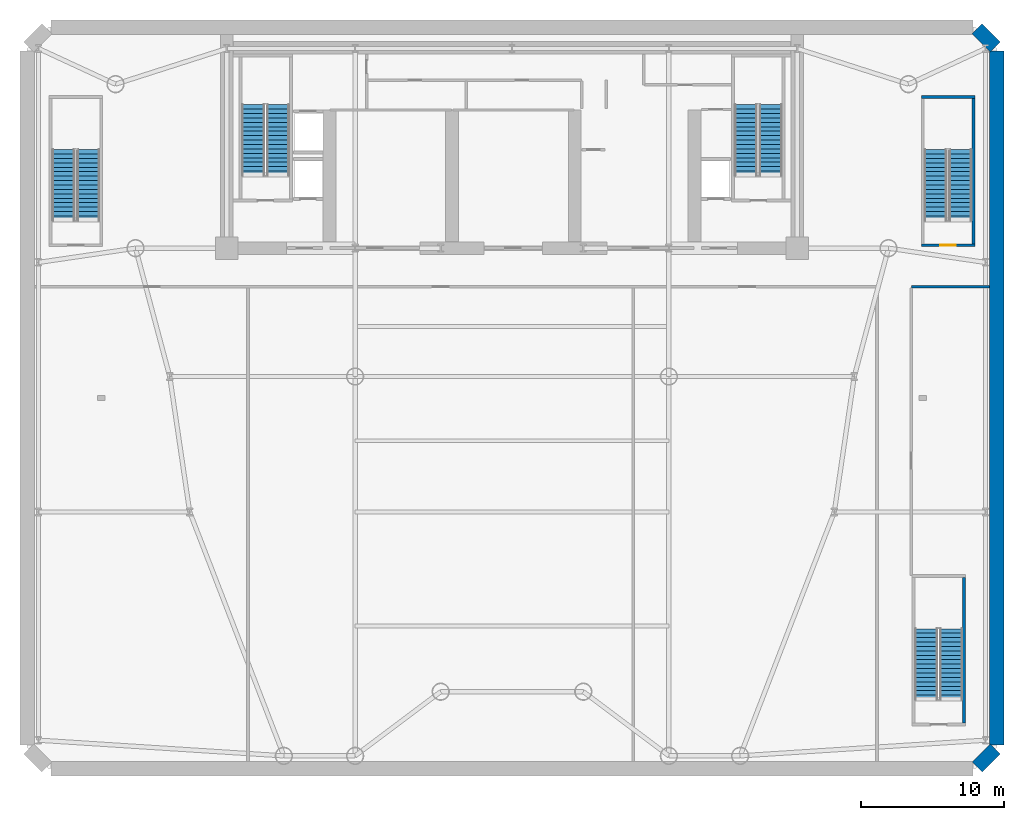
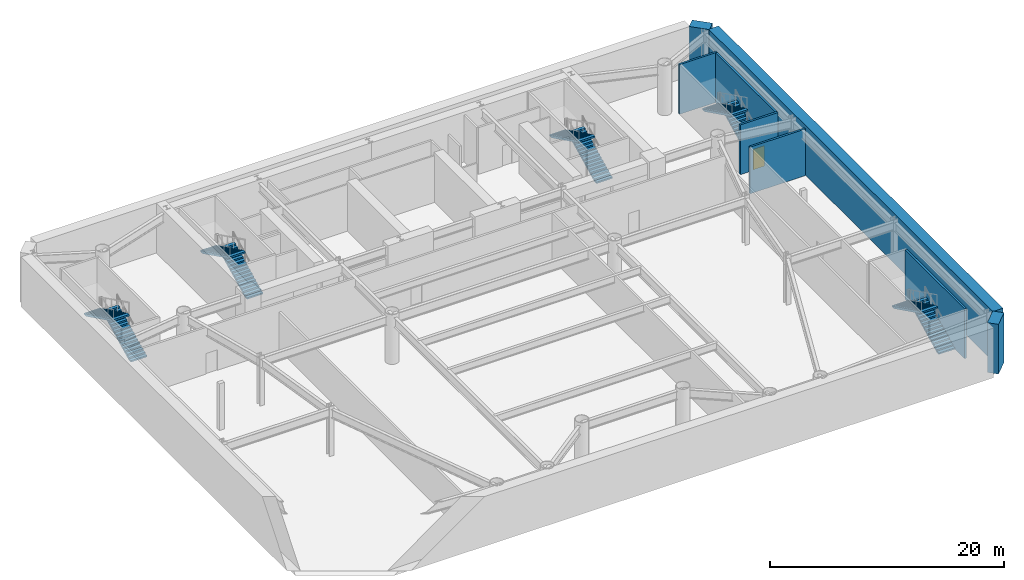
# One storey, part 4 of 9: 10 stair flights, 8 walls, 1 door, 1 opening, 5 elements without a shape of their own.
"""IFC4 building model written with IfcOpenShell, lengths in metres."""

import ifcopenshell
import ifcopenshell.guid

model = None  # the IFC model being written
_history = None  # IfcOwnerHistory: only IFC2X3 demands one
_inside = {}  # id of a spatial element -> (the spatial element, [elements in it])
_under = {}  # id of a project, library or spatial element -> (it, [spatial elements below it])
_declared = {}  # id of a project -> (the project, [libraries it declares])
_typed = {}  # id of a type object -> (the type object, [elements of that type])
_made_of = {}  # id of a material, layer set ... -> (it, [elements and type objects made of it])


def new_model(schema):
    """Start an empty IFC model of exactly this schema.

    Asked for "IFC4X3", IfcOpenShell would pick the latest addendum, in which some entities
    have other attributes; the version numbers below select the first issue.
    IFC2X3 requires an IfcOwnerHistory on every rooted entity: one is made here for all.
    """
    global model, _history
    if schema == "IFC4X3":
        model = ifcopenshell.file(schema_version=(4, 3, 0, 0))
    else:
        model = ifcopenshell.file(schema=schema)
    _inside.clear()
    _under.clear()
    _declared.clear()
    _typed.clear()
    _made_of.clear()
    _history = None
    if model.schema == "IFC2X3":
        org = make("IfcOrganization", Name="unknown")
        user = make(
            "IfcPersonAndOrganization",
            ThePerson=make("IfcPerson", FamilyName="unknown"),
            TheOrganization=org,
        )
        app = make(
            "IfcApplication",
            ApplicationDeveloper=org,
            Version="unknown",
            ApplicationFullName="unknown",
            ApplicationIdentifier="unknown",
        )
        _history = make(
            "IfcOwnerHistory",
            OwningUser=user,
            OwningApplication=app,
            ChangeAction="ADDED",
            CreationDate=0,
        )
    return model


def make(cls, **values):
    """One entity of the class cls with the attributes given. An attribute that is None is left unset."""
    return model.create_entity(
        cls, **{name: value for name, value in values.items() if value is not None}
    )


def rooted(cls, **values):
    """An entity with a GlobalId (a new one), such as an element, a storey or a relation."""
    return make(cls, GlobalId=ifcopenshell.guid.new(), OwnerHistory=_history, **values)


def si_unit(unit_type, name, prefix=None):
    """IfcSIUnit, for example si_unit("LENGTHUNIT", "METRE", prefix="MILLI")."""
    return make("IfcSIUnit", UnitType=unit_type, Prefix=prefix, Name=name)


def assignment(units):
    """IfcUnitAssignment: the units of a project."""
    return None if units is None else make("IfcUnitAssignment", Units=units)


def point(xyz):
    """IfcCartesianPoint."""
    return None if xyz is None else make("IfcCartesianPoint", Coordinates=xyz)


def direction(xyz):
    """IfcDirection."""
    return None if xyz is None else make("IfcDirection", DirectionRatios=xyz)


def frame(location, z_axis=None, x_axis=None):
    """IfcAxis2Placement3D, a coordinate frame: its origin and axes. An axis left out is left unset."""
    return make(
        "IfcAxis2Placement3D",
        Location=point(location),
        Axis=direction(z_axis),
        RefDirection=direction(x_axis),
    )


def frame_2d(location, x_axis=None):
    """IfcAxis2Placement2D, a coordinate frame in the plane: its origin and x axis."""
    return make(
        "IfcAxis2Placement2D", Location=point(location), RefDirection=direction(x_axis)
    )


def origin():
    """The frame at (0, 0, 0) with its axes left unset."""
    return frame((0.0, 0.0, 0.0))


def place(relative_to, where):
    """IfcLocalPlacement: puts the frame where relative to a parent placement (None: the world)."""
    return make(
        "IfcLocalPlacement", PlacementRelTo=relative_to, RelativePlacement=where
    )


def context(
    kind, dimensions, precision=None, world=None, true_north=None, identifier=None
):
    """IfcGeometricRepresentationContext, for example the 3D "Model" context."""
    return make(
        "IfcGeometricRepresentationContext",
        ContextIdentifier=identifier,
        ContextType=kind,
        CoordinateSpaceDimension=dimensions,
        Precision=precision,
        WorldCoordinateSystem=world,
        TrueNorth=true_north,
    )


def subcontext(parent, identifier, kind, view, scale=None):
    """IfcGeometricRepresentationSubContext, for example "Body" below "Model"."""
    return make(
        "IfcGeometricRepresentationSubContext",
        ContextIdentifier=identifier,
        ContextType=kind,
        ParentContext=parent,
        TargetScale=scale,
        TargetView=view,
    )


def project(units=None, contexts=None):
    """IfcProject with its units and contexts."""
    return rooted(
        "IfcProject",
        Name="project",
        RepresentationContexts=contexts,
        UnitsInContext=assignment(units),
    )


def spatial(cls, under=None, at=None, **own):
    """A site, building, storey or space (cls), placed at a placement, below another one or the project."""
    s = rooted(cls, ObjectPlacement=at, **own)
    if under is not None:
        _under.setdefault(under.id(), (under, []))[1].append(s)
    return s


def polyline(points):
    """IfcPolyline through the points."""
    return make("IfcPolyline", Points=[point(p) for p in points])


def profile(cls, at=None, kind="AREA", **sizes):
    """A parametric profile (cls). Its sizes go by their IFC names, for example OverallWidth=200.0."""
    return make(cls, ProfileType=kind, Position=at, **sizes)


def rectangle(**sizes):
    """IfcRectangleProfileDef."""
    return profile("IfcRectangleProfileDef", **sizes)


def outline(outer, holes=None, kind="AREA"):
    """IfcArbitraryClosedProfileDef: a profile drawn as a closed curve; with holes, ...WithVoids."""
    if holes is None:
        return make("IfcArbitraryClosedProfileDef", ProfileType=kind, OuterCurve=outer)
    return make(
        "IfcArbitraryProfileDefWithVoids",
        ProfileType=kind,
        OuterCurve=outer,
        InnerCurves=holes,
    )


def extrude(swept, where, along, depth):
    """IfcExtrudedAreaSolid: the profile swept, set in the frame where, extruded along a direction by depth."""
    return make(
        "IfcExtrudedAreaSolid",
        SweptArea=swept,
        Position=where,
        ExtrudedDirection=direction(along),
        Depth=depth,
    )


def shape(context_of_items, identifier, shape_type, items):
    """IfcShapeRepresentation: the items that make up one representation, for example the "Body"."""
    return make(
        "IfcShapeRepresentation",
        ContextOfItems=context_of_items,
        RepresentationIdentifier=identifier,
        RepresentationType=shape_type,
        Items=items,
    )


def source(mapping_origin, context_of_items, identifier, shape_type, items):
    """IfcRepresentationMap: a shape defined once, which mapped items show again and again."""
    return make(
        "IfcRepresentationMap",
        MappingOrigin=mapping_origin,
        MappedRepresentation=shape(context_of_items, identifier, shape_type, items),
    )


def transform(
    local_origin,
    x_axis=None,
    y_axis=None,
    z_axis=None,
    scale=None,
    scale2=None,
    scale3=None,
    uniform=True,
):
    """IfcCartesianTransformationOperator3D, or its non-uniform kind. x_axis, y_axis, z_axis: its Axis1, 2, 3."""
    if uniform:
        return make(
            "IfcCartesianTransformationOperator3D",
            Axis1=direction(x_axis),
            Axis2=direction(y_axis),
            LocalOrigin=point(local_origin),
            Scale=scale,
            Axis3=direction(z_axis),
        )
    return make(
        "IfcCartesianTransformationOperator3DnonUniform",
        Axis1=direction(x_axis),
        Axis2=direction(y_axis),
        LocalOrigin=point(local_origin),
        Scale=scale,
        Axis3=direction(z_axis),
        Scale2=scale2,
        Scale3=scale3,
    )


def mapped(mapping_source, mapping_target):
    """IfcMappedItem: shows the shape of a source again, moved by a transform."""
    return make(
        "IfcMappedItem", MappingSource=mapping_source, MappingTarget=mapping_target
    )


def material(Name=None, Category=None):
    """IfcMaterial."""
    return make("IfcMaterial", Name=Name, Category=Category)


def layer(
    of_material, thickness, ventilated=None, Name=None, Category=None, Priority=None
):
    """IfcMaterialLayer: one layer of a wall or slab, of a material (None: an air gap)."""
    return make(
        "IfcMaterialLayer",
        Material=of_material,
        LayerThickness=thickness,
        IsVentilated=ventilated,
        Name=Name,
        Category=Category,
        Priority=Priority,
    )


def layer_set(layers, Name=None):
    """IfcMaterialLayerSet."""
    return make("IfcMaterialLayerSet", MaterialLayers=layers, LayerSetName=Name)


def made_of(thing, what):
    """Note that an element or type object is made of a material, layer set ...; save() writes the relation."""
    if what is not None:
        _made_of.setdefault(what.id(), (what, []))[1].append(thing)
    return thing


def type_object(cls, material=None, **own):
    """A type object (cls), such as IfcWallType, which elements share."""
    return made_of(rooted(cls, **own), material)


def element(
    cls,
    number,
    at=None,
    inside=None,
    cuts=None,
    type_object=None,
    material=None,
    context=None,
    identifier="Body",
    shape_type=None,
    held_by="IfcProductDefinitionShape",
    body=None,
    shapes=None,
    **own,
):
    """One element of the class cls, such as IfcWall. Its Tag is "e" and its number.

    at: its placement. inside: the storey or other place that contains it. cuts: it is an
    opening in that element (IfcRelVoidsElement). A single representation is given by context,
    identifier, shape_type and body (its items); several are given by shapes. held_by: the class
    of the entity that holds the representations. save() writes the other relations.
    """
    e = rooted(cls, Tag="e%d" % number, ObjectPlacement=at, **own)
    if body is not None:
        shapes = [shape(context, identifier, shape_type, body)]
    if shapes is not None:
        e.Representation = make(held_by, Representations=shapes)
    if inside is not None:
        _inside.setdefault(inside.id(), (inside, []))[1].append(e)
    if cuts is not None:
        rooted(
            "IfcRelVoidsElement", RelatingBuildingElement=cuts, RelatedOpeningElement=e
        )
    if type_object is not None:
        _typed.setdefault(type_object.id(), (type_object, []))[1].append(e)
    return made_of(e, material)


def fill(opening, filler):
    """IfcRelFillsElement: the door or window that sits in an opening."""
    return rooted(
        "IfcRelFillsElement",
        RelatingOpeningElement=opening,
        RelatedBuildingElement=filler,
    )


def aggregate(whole, parts):
    """IfcRelAggregates: a whole, such as a stair, and the parts it consists of."""
    return rooted("IfcRelAggregates", RelatingObject=whole, RelatedObjects=parts)


def save(model, path):
    """Write the relations noted so far, then the file.

    IfcRelAggregates (storeys below a building ...), IfcRelContainedInSpatialStructure (elements
    in a storey), IfcRelDefinesByType, IfcRelAssociatesMaterial and IfcRelDeclares: one each for
    every whole, place, type object, material and project.
    """
    for whole, parts in _under.values():
        aggregate(whole, parts)
    for where, things in _inside.values():
        rooted(
            "IfcRelContainedInSpatialStructure",
            RelatedElements=things,
            RelatingStructure=where,
        )
    for kind, things in _typed.values():
        rooted("IfcRelDefinesByType", RelatedObjects=things, RelatingType=kind)
    for what, things in _made_of.values():
        rooted("IfcRelAssociatesMaterial", RelatedObjects=things, RelatingMaterial=what)
    for by, libraries in _declared.values():
        rooted("IfcRelDeclares", RelatingContext=by, RelatedDefinitions=libraries)
    model.write(path)


model = new_model("IFC4")

# Units and contexts
model_context = context("Model", 3, precision=1e-05, world=origin(), true_north=direction((0.0, 1.0)))
body_context = subcontext(model_context, "Body", "Model", "MODEL_VIEW")
ifc_project = project(units=[si_unit("LENGTHUNIT", "METRE"), si_unit("AREAUNIT", "SQUARE_METRE"), si_unit("VOLUMEUNIT", "CUBIC_METRE"), si_unit("PLANEANGLEUNIT", "RADIAN"), si_unit("MASSUNIT", "GRAM", prefix="KILO")], contexts=[model_context])

# Site, building, storey
site_placement = place(None, origin())
site = spatial("IfcSite", under=ifc_project, at=site_placement, CompositionType="ELEMENT")
building_placement = place(site_placement, origin())
building = spatial("IfcBuilding", under=site, at=building_placement, Name="Vaeldorn Concourse Tower", CompositionType="ELEMENT")
storey_placement = place(building_placement, frame((0.0, 0.0, -5.199951171875)))
storey = spatial("IfcBuildingStorey", under=building, at=storey_placement, Name="B01", CompositionType="ELEMENT", Elevation=-5.199951171875)

# Walls
ifc_material_1 = material(Name="Concrete C50/60", Category="concrete")
ifc_layer_1 = layer(ifc_material_1, 1.0)
ifc_layer_set_1 = layer_set([ifc_layer_1], Name="Concrete C50/60")
wall_type_1 = type_object("IfcWallType", Name="WL-DIAPH-1000", PredefinedType="STANDARD", material=ifc_layer_set_1)
wall_1_placement = place(storey_placement, frame((66.613037109375, 0.113037109375, 0.0), z_axis=(0.0, 0.0, 1.0), x_axis=(0.707106781187, 0.707106781187, 0.0)))
element("IfcWall", 1, at=wall_1_placement, inside=storey, type_object=wall_type_1, Name="Substructure Diaphragm Wall B01-02", PredefinedType="STANDARD", context=body_context, shape_type="SweptSolid", body=[
    extrude(rectangle(XDim=1.801513671875, YDim=1.0, at=frame_2d((0.90087890625, 0.0))), origin(), (0.0, 0.0, 1.0), 5.199951171875),
])
wall_2_placement = place(storey_placement, frame((68.0, 1.659912109375, 0.0), z_axis=(0.0, 0.0, 1.0), x_axis=(0.0, 1.0, 0.0)))
element("IfcWall", 2, at=wall_2_placement, inside=storey, type_object=wall_type_1, Name="Substructure Diaphragm Wall B01-03", PredefinedType="STANDARD", context=body_context, shape_type="SweptSolid", body=[
    extrude(rectangle(XDim=48.68017578125, YDim=1.0, at=frame_2d((24.340087890625, 0.0))), origin(), (0.0, 0.0, 1.0), 5.199951171875),
])
wall_3_placement = place(storey_placement, frame((67.886962890625, 50.613037109375, 0.0), z_axis=(0.0, 0.0, 1.0), x_axis=(-0.707106781187, 0.707106781187, 0.0)))
element("IfcWall", 3, at=wall_3_placement, inside=storey, type_object=wall_type_1, Name="Substructure Diaphragm Wall B01-04", PredefinedType="STANDARD", context=body_context, shape_type="SweptSolid", body=[
    extrude(rectangle(XDim=1.801513671875, YDim=1.0, at=frame_2d((0.90087890625, 0.0))), origin(), (0.0, 0.0, 1.0), 5.199951171875),
])

# Wall, opening, door
ifc_layer_2 = layer(ifc_material_1, 0.199951171875)
ifc_layer_set_2 = layer_set([ifc_layer_2], Name="Concrete C50/60")
wall_type_2 = type_object("IfcWallType", Name="WL-SHAFT-200", PredefinedType="SOLIDWALL", material=ifc_layer_set_2)
wall_4_placement = place(storey_placement, frame((62.699951171875, 36.699951171875, 0.0), z_axis=(0.0, 0.0, 1.0), x_axis=(1.0, 0.0, 0.0)))
wall_4 = element("IfcWall", 4, at=wall_4_placement, inside=storey, type_object=wall_type_2, Name="Stair Shaft Wall CW-B01-ST-4-S", PredefinedType="SOLIDWALL", context=body_context, shape_type="SweptSolid", body=[
    extrude(rectangle(XDim=3.75, YDim=0.199951171875, at=frame_2d((1.875, 0.0))), origin(), (0.0, 0.0, 1.0), 5.199951171875),
])
opening_placement = place(wall_4_placement, frame((1.324951171875, 0.0, 0.0)))
opening = element("IfcOpeningElement", 5, at=opening_placement, cuts=wall_4, Name="Opening D-01", PredefinedType="OPENING", context=body_context, shape_type="SweptSolid", body=[
    extrude(rectangle(XDim=1.10009765625, YDim=2.14990234375, at=frame_2d((0.550048828125, 1.074951171875))), frame((0.0, 0.10986328125, 0.0), z_axis=(0.0, -1.0, 0.0), x_axis=(1.0, 0.0, 0.0)), (0.0, 0.0, 1.0), 0.219970703125),
])
ifc_material_2 = material(Name="Fire-Rated Timber and Steel Leaf", Category="steel")
door_type = type_object("IfcDoorType", Name="DR-FD60-1100", OperationType="NOTDEFINED", PredefinedType="DOOR", material=ifc_material_2)
shared_shape = source(origin(), body_context, "Body", "SweptSolid", [
    extrude(rectangle(XDim=1.10009765625, YDim=2.14990234375, at=frame_2d((0.550048828125, 1.074951171875))), frame((0.0, 0.02490234375, 0.0), z_axis=(0.0, -1.0, 0.0), x_axis=(1.0, 0.0, 0.0)), (0.0, 0.0, 1.0), 0.050048828125),
])
door_placement = place(opening_placement, origin())
door = element("IfcDoor", 6, at=door_placement, inside=storey, type_object=door_type, Name="Interior Door DR-B01-ST-4", OperationType="SINGLE_SWING_RIGHT", OverallHeight=2.14990234375, OverallWidth=1.10009765625, PredefinedType="DOOR", context=body_context, shape_type="MappedRepresentation", body=[
    mapped(shared_shape, transform((0.0, 0.0, 0.0), scale=1.0)),
])
fill(opening, door)

# Walls
wall_5_placement = place(storey_placement, frame((62.699951171875, 47.10009765625, 0.0), z_axis=(0.0, 0.0, 1.0), x_axis=(1.0, 0.0, 0.0)))
element("IfcWall", 7, at=wall_5_placement, inside=storey, type_object=wall_type_2, Name="Stair Shaft Wall CW-B01-ST-4-N", PredefinedType="SOLIDWALL", context=body_context, shape_type="SweptSolid", body=[
    extrude(rectangle(XDim=3.75, YDim=0.199951171875, at=frame_2d((1.875, 0.0))), origin(), (0.0, 0.0, 1.0), 5.199951171875),
])
for number, where, z_axis, x_axis, name in (
    (8, (66.35009765625, 36.81005859375, 0.0), (0.0, 0.0, 1.0), (0.0, 1.0, 0.0), "Stair Shaft Wall CW-B01-ST-4-E"),
    (9, (65.699951171875, 3.2099609375, 0.0), (0.0, 0.0, 1.0), (0.0, 1.0, 0.0), "Stair Shaft Wall CW-B01-ST-5-E"),
):
    element("IfcWall", number, at=place(storey_placement, frame(where, z_axis=z_axis, x_axis=x_axis)), inside=storey, type_object=wall_type_2, Name=name, PredefinedType="SOLIDWALL", context=body_context, shape_type="SweptSolid", body=[
        extrude(rectangle(XDim=10.179931640625, YDim=0.199951171875, at=frame_2d((5.08984375, 0.0))), origin(), (0.0, 0.0, 1.0), 5.199951171875),
    ])
wall_6_placement = place(storey_placement, frame((62.0, 33.800048828125, 0.0), z_axis=(0.0, 0.0, 1.0), x_axis=(1.0, 0.0, 0.0)))
element("IfcWall", 10, at=wall_6_placement, inside=storey, type_object=wall_type_2, Name="Interior Wall PW-B01-CORE", PredefinedType="SOLIDWALL", context=body_context, shape_type="SweptSolid", body=[
    extrude(rectangle(XDim=5.47998046875, YDim=0.199951171875, at=frame_2d((2.739990234375, 0.0))), origin(), (0.0, 0.0, 1.0), 4.8798828125),
])

# Stair, stair flights
ifc_material_3 = material(Name="Precast concrete C40/50", Category="concrete")
stair_type = type_object("IfcStairType", Name="STR-DOG-34x153", PredefinedType="HALF_TURN_STAIR", material=ifc_material_3)
stair_1_placement = place(storey_placement, origin())
stair_1 = element("IfcStair", 11, at=stair_1_placement, inside=storey, type_object=stair_type, Name="B01 West Core Exit Stair ST-1", PredefinedType="HALF_TURN_STAIR")
stair_flight_type = type_object("IfcStairFlightType", Name="STF-STR-17x153", PredefinedType="STRAIGHT", material=ifc_material_3)
stair_flight_1_placement = place(storey_placement, frame((17.60009765625, 41.60009765625, 0.0), z_axis=(0.0, 0.0, 1.0), x_axis=(0.0, 1.0, 0.0)))
stair_flight_1 = element("IfcStairFlight", 12, at=stair_flight_1_placement, type_object=stair_flight_type, Name="ST-1 flight 1", NumberOfRisers=17, NumberOfTreads=16, PredefinedType="STRAIGHT", RiserHeight=0.152941176, TreadLength=0.31, context=body_context, shape_type="SweptSolid", body=[
    extrude(outline(polyline([(0.0, 0.0), (0.0, 0.15283203125), (0.31005859375, 0.15283203125), (0.31005859375, 0.305908203125), (0.6201171875, 0.305908203125), (0.6201171875, 0.458740234375), (0.929931640625, 0.458740234375), (0.929931640625, 0.61181640625), (1.239990234375, 0.61181640625), (1.239990234375, 0.7646484375), (1.550048828125, 0.7646484375), (1.550048828125, 0.917724609375), (1.860107421875, 0.917724609375), (1.860107421875, 1.070556640625), (2.169921875, 1.070556640625), (2.169921875, 1.2236328125), (2.47998046875, 1.2236328125), (2.47998046875, 1.37646484375), (2.7900390625, 1.37646484375), (2.7900390625, 1.529296875), (3.10009765625, 1.529296875), (3.10009765625, 1.682373046875), (3.409912109375, 1.682373046875), (3.409912109375, 1.835205078125), (3.719970703125, 1.835205078125), (3.719970703125, 1.98828125), (4.030029296875, 1.98828125), (4.030029296875, 2.14111328125), (4.340087890625, 2.14111328125), (4.340087890625, 2.294189453125), (4.64990234375, 2.294189453125), (4.64990234375, 2.447021484375), (4.9599609375, 2.447021484375), (4.9599609375, 2.60009765625), (4.9599609375, 2.27978515625), (0.3388671875, 0.0), (0.0, 0.0)])), frame((0.0, 0.800048828125, 0.0), z_axis=(0.0, -1.0, 0.0), x_axis=(1.0, 0.0, 0.0)), (0.0, 0.0, 1.0), 1.60009765625),
])
stair_flight_2_placement = place(storey_placement, frame((15.85009765625, 46.56005859375, 2.599853515625), z_axis=(0.0, 0.0, 1.0), x_axis=(0.0, -1.0, 0.0)))
stair_flight_2 = element("IfcStairFlight", 13, at=stair_flight_2_placement, type_object=stair_flight_type, Name="ST-1 flight 2", NumberOfRisers=17, NumberOfTreads=16, PredefinedType="STRAIGHT", RiserHeight=0.152941176, TreadLength=0.31, context=body_context, shape_type="SweptSolid", body=[
    extrude(outline(polyline([(0.0, 0.0), (0.0, 0.15283203125), (0.31005859375, 0.15283203125), (0.31005859375, 0.305908203125), (0.6201171875, 0.305908203125), (0.6201171875, 0.458740234375), (0.929931640625, 0.458740234375), (0.929931640625, 0.61181640625), (1.239990234375, 0.61181640625), (1.239990234375, 0.7646484375), (1.550048828125, 0.7646484375), (1.550048828125, 0.917724609375), (1.860107421875, 0.917724609375), (1.860107421875, 1.070556640625), (2.169921875, 1.070556640625), (2.169921875, 1.2236328125), (2.47998046875, 1.2236328125), (2.47998046875, 1.37646484375), (2.7900390625, 1.37646484375), (2.7900390625, 1.529296875), (3.10009765625, 1.529296875), (3.10009765625, 1.682373046875), (3.409912109375, 1.682373046875), (3.409912109375, 1.835205078125), (3.719970703125, 1.835205078125), (3.719970703125, 1.98828125), (4.030029296875, 1.98828125), (4.030029296875, 2.14111328125), (4.340087890625, 2.14111328125), (4.340087890625, 2.294189453125), (4.64990234375, 2.294189453125), (4.64990234375, 2.447021484375), (4.9599609375, 2.447021484375), (4.9599609375, 2.60009765625), (4.9599609375, 2.27978515625), (0.3388671875, 0.0), (0.0, 0.0)])), frame((0.0, 0.800048828125, 0.0), z_axis=(0.0, -1.0, 0.0), x_axis=(1.0, 0.0, 0.0)), (0.0, 0.0, 1.0), 1.60009765625),
])
aggregate(stair_1, [stair_flight_1, stair_flight_2])

stair_2_placement = place(storey_placement, origin())
stair_2 = element("IfcStair", 14, at=stair_2_placement, inside=storey, type_object=stair_type, Name="B01 East Core Exit Stair ST-2", PredefinedType="HALF_TURN_STAIR")
stair_flight_3_placement = place(storey_placement, frame((52.14990234375, 41.60009765625, 0.0), z_axis=(0.0, 0.0, 1.0), x_axis=(0.0, 1.0, 0.0)))
stair_flight_3 = element("IfcStairFlight", 15, at=stair_flight_3_placement, type_object=stair_flight_type, Name="ST-2 flight 1", NumberOfRisers=17, NumberOfTreads=16, PredefinedType="STRAIGHT", RiserHeight=0.152941176, TreadLength=0.31, context=body_context, shape_type="SweptSolid", body=[
    extrude(outline(polyline([(0.0, 0.0), (0.0, 0.15283203125), (0.31005859375, 0.15283203125), (0.31005859375, 0.305908203125), (0.6201171875, 0.305908203125), (0.6201171875, 0.458740234375), (0.929931640625, 0.458740234375), (0.929931640625, 0.61181640625), (1.239990234375, 0.61181640625), (1.239990234375, 0.7646484375), (1.550048828125, 0.7646484375), (1.550048828125, 0.917724609375), (1.860107421875, 0.917724609375), (1.860107421875, 1.070556640625), (2.169921875, 1.070556640625), (2.169921875, 1.2236328125), (2.47998046875, 1.2236328125), (2.47998046875, 1.37646484375), (2.7900390625, 1.37646484375), (2.7900390625, 1.529296875), (3.10009765625, 1.529296875), (3.10009765625, 1.682373046875), (3.409912109375, 1.682373046875), (3.409912109375, 1.835205078125), (3.719970703125, 1.835205078125), (3.719970703125, 1.98828125), (4.030029296875, 1.98828125), (4.030029296875, 2.14111328125), (4.340087890625, 2.14111328125), (4.340087890625, 2.294189453125), (4.64990234375, 2.294189453125), (4.64990234375, 2.447021484375), (4.9599609375, 2.447021484375), (4.9599609375, 2.60009765625), (4.9599609375, 2.27978515625), (0.3388671875, 0.0), (0.0, 0.0)])), frame((0.0, 0.800048828125, 0.0), z_axis=(0.0, -1.0, 0.0), x_axis=(1.0, 0.0, 0.0)), (0.0, 0.0, 1.0), 1.60009765625),
])
stair_flight_4_placement = place(storey_placement, frame((50.39990234375, 46.56005859375, 2.599853515625), z_axis=(0.0, 0.0, 1.0), x_axis=(0.0, -1.0, 0.0)))
stair_flight_4 = element("IfcStairFlight", 16, at=stair_flight_4_placement, type_object=stair_flight_type, Name="ST-2 flight 2", NumberOfRisers=17, NumberOfTreads=16, PredefinedType="STRAIGHT", RiserHeight=0.152941176, TreadLength=0.31, context=body_context, shape_type="SweptSolid", body=[
    extrude(outline(polyline([(0.0, 0.0), (0.0, 0.15283203125), (0.31005859375, 0.15283203125), (0.31005859375, 0.305908203125), (0.6201171875, 0.305908203125), (0.6201171875, 0.458740234375), (0.929931640625, 0.458740234375), (0.929931640625, 0.61181640625), (1.239990234375, 0.61181640625), (1.239990234375, 0.7646484375), (1.550048828125, 0.7646484375), (1.550048828125, 0.917724609375), (1.860107421875, 0.917724609375), (1.860107421875, 1.070556640625), (2.169921875, 1.070556640625), (2.169921875, 1.2236328125), (2.47998046875, 1.2236328125), (2.47998046875, 1.37646484375), (2.7900390625, 1.37646484375), (2.7900390625, 1.529296875), (3.10009765625, 1.529296875), (3.10009765625, 1.682373046875), (3.409912109375, 1.682373046875), (3.409912109375, 1.835205078125), (3.719970703125, 1.835205078125), (3.719970703125, 1.98828125), (4.030029296875, 1.98828125), (4.030029296875, 2.14111328125), (4.340087890625, 2.14111328125), (4.340087890625, 2.294189453125), (4.64990234375, 2.294189453125), (4.64990234375, 2.447021484375), (4.9599609375, 2.447021484375), (4.9599609375, 2.60009765625), (4.9599609375, 2.27978515625), (0.3388671875, 0.0), (0.0, 0.0)])), frame((0.0, 0.800048828125, 0.0), z_axis=(0.0, -1.0, 0.0), x_axis=(1.0, 0.0, 0.0)), (0.0, 0.0, 1.0), 1.60009765625),
])
aggregate(stair_2, [stair_flight_3, stair_flight_4])

stair_3_placement = place(storey_placement, origin())
stair_3 = element("IfcStair", 17, at=stair_3_placement, inside=storey, type_object=stair_type, Name="B01 Station West Exit Stair ST-3", PredefinedType="HALF_TURN_STAIR")
stair_flight_5_placement = place(storey_placement, frame((4.300048828125, 38.449951171875, 0.0), z_axis=(0.0, 0.0, 1.0), x_axis=(0.0, 1.0, 0.0)))
stair_flight_5 = element("IfcStairFlight", 18, at=stair_flight_5_placement, type_object=stair_flight_type, Name="ST-3 flight 1", NumberOfRisers=17, NumberOfTreads=16, PredefinedType="STRAIGHT", RiserHeight=0.152941176, TreadLength=0.31, context=body_context, shape_type="SweptSolid", body=[
    extrude(outline(polyline([(0.0, 0.0), (0.0, 0.15283203125), (0.31005859375, 0.15283203125), (0.31005859375, 0.305908203125), (0.6201171875, 0.305908203125), (0.6201171875, 0.458740234375), (0.929931640625, 0.458740234375), (0.929931640625, 0.61181640625), (1.239990234375, 0.61181640625), (1.239990234375, 0.7646484375), (1.550048828125, 0.7646484375), (1.550048828125, 0.917724609375), (1.860107421875, 0.917724609375), (1.860107421875, 1.070556640625), (2.169921875, 1.070556640625), (2.169921875, 1.2236328125), (2.47998046875, 1.2236328125), (2.47998046875, 1.37646484375), (2.7900390625, 1.37646484375), (2.7900390625, 1.529296875), (3.10009765625, 1.529296875), (3.10009765625, 1.682373046875), (3.409912109375, 1.682373046875), (3.409912109375, 1.835205078125), (3.719970703125, 1.835205078125), (3.719970703125, 1.98828125), (4.030029296875, 1.98828125), (4.030029296875, 2.14111328125), (4.340087890625, 2.14111328125), (4.340087890625, 2.294189453125), (4.64990234375, 2.294189453125), (4.64990234375, 2.447021484375), (4.9599609375, 2.447021484375), (4.9599609375, 2.60009765625), (4.9599609375, 2.27978515625), (0.3388671875, 0.0), (0.0, 0.0)])), frame((0.0, 0.800048828125, 0.0), z_axis=(0.0, -1.0, 0.0), x_axis=(1.0, 0.0, 0.0)), (0.0, 0.0, 1.0), 1.60009765625),
])
stair_flight_6_placement = place(storey_placement, frame((2.550048828125, 43.409912109375, 2.599853515625), z_axis=(0.0, 0.0, 1.0), x_axis=(0.0, -1.0, 0.0)))
stair_flight_6 = element("IfcStairFlight", 19, at=stair_flight_6_placement, type_object=stair_flight_type, Name="ST-3 flight 2", NumberOfRisers=17, NumberOfTreads=16, PredefinedType="STRAIGHT", RiserHeight=0.152941176, TreadLength=0.31, context=body_context, shape_type="SweptSolid", body=[
    extrude(outline(polyline([(0.0, 0.0), (0.0, 0.15283203125), (0.31005859375, 0.15283203125), (0.31005859375, 0.305908203125), (0.6201171875, 0.305908203125), (0.6201171875, 0.458740234375), (0.929931640625, 0.458740234375), (0.929931640625, 0.61181640625), (1.239990234375, 0.61181640625), (1.239990234375, 0.7646484375), (1.550048828125, 0.7646484375), (1.550048828125, 0.917724609375), (1.860107421875, 0.917724609375), (1.860107421875, 1.070556640625), (2.169921875, 1.070556640625), (2.169921875, 1.2236328125), (2.47998046875, 1.2236328125), (2.47998046875, 1.37646484375), (2.7900390625, 1.37646484375), (2.7900390625, 1.529296875), (3.10009765625, 1.529296875), (3.10009765625, 1.682373046875), (3.409912109375, 1.682373046875), (3.409912109375, 1.835205078125), (3.719970703125, 1.835205078125), (3.719970703125, 1.98828125), (4.030029296875, 1.98828125), (4.030029296875, 2.14111328125), (4.340087890625, 2.14111328125), (4.340087890625, 2.294189453125), (4.64990234375, 2.294189453125), (4.64990234375, 2.447021484375), (4.9599609375, 2.447021484375), (4.9599609375, 2.60009765625), (4.9599609375, 2.27978515625), (0.3388671875, 0.0), (0.0, 0.0)])), frame((0.0, 0.800048828125, 0.0), z_axis=(0.0, -1.0, 0.0), x_axis=(1.0, 0.0, 0.0)), (0.0, 0.0, 1.0), 1.60009765625),
])
aggregate(stair_3, [stair_flight_5, stair_flight_6])

stair_4_placement = place(storey_placement, origin())
stair_4 = element("IfcStair", 20, at=stair_4_placement, inside=storey, type_object=stair_type, Name="B01 Station East Exit Stair ST-4", PredefinedType="HALF_TURN_STAIR")
stair_flight_7_placement = place(storey_placement, frame((65.449951171875, 38.449951171875, 0.0), z_axis=(0.0, 0.0, 1.0), x_axis=(0.0, 1.0, 0.0)))
stair_flight_7 = element("IfcStairFlight", 21, at=stair_flight_7_placement, type_object=stair_flight_type, Name="ST-4 flight 1", NumberOfRisers=17, NumberOfTreads=16, PredefinedType="STRAIGHT", RiserHeight=0.152941176, TreadLength=0.31, context=body_context, shape_type="SweptSolid", body=[
    extrude(outline(polyline([(0.0, 0.0), (0.0, 0.15283203125), (0.31005859375, 0.15283203125), (0.31005859375, 0.305908203125), (0.6201171875, 0.305908203125), (0.6201171875, 0.458740234375), (0.929931640625, 0.458740234375), (0.929931640625, 0.61181640625), (1.239990234375, 0.61181640625), (1.239990234375, 0.7646484375), (1.550048828125, 0.7646484375), (1.550048828125, 0.917724609375), (1.860107421875, 0.917724609375), (1.860107421875, 1.070556640625), (2.169921875, 1.070556640625), (2.169921875, 1.2236328125), (2.47998046875, 1.2236328125), (2.47998046875, 1.37646484375), (2.7900390625, 1.37646484375), (2.7900390625, 1.529296875), (3.10009765625, 1.529296875), (3.10009765625, 1.682373046875), (3.409912109375, 1.682373046875), (3.409912109375, 1.835205078125), (3.719970703125, 1.835205078125), (3.719970703125, 1.98828125), (4.030029296875, 1.98828125), (4.030029296875, 2.14111328125), (4.340087890625, 2.14111328125), (4.340087890625, 2.294189453125), (4.64990234375, 2.294189453125), (4.64990234375, 2.447021484375), (4.9599609375, 2.447021484375), (4.9599609375, 2.60009765625), (4.9599609375, 2.27978515625), (0.3388671875, 0.0), (0.0, 0.0)])), frame((0.0, 0.800048828125, 0.0), z_axis=(0.0, -1.0, 0.0), x_axis=(1.0, 0.0, 0.0)), (0.0, 0.0, 1.0), 1.60009765625),
])
stair_flight_8_placement = place(storey_placement, frame((63.699951171875, 43.409912109375, 2.599853515625), z_axis=(0.0, 0.0, 1.0), x_axis=(0.0, -1.0, 0.0)))
stair_flight_8 = element("IfcStairFlight", 22, at=stair_flight_8_placement, type_object=stair_flight_type, Name="ST-4 flight 2", NumberOfRisers=17, NumberOfTreads=16, PredefinedType="STRAIGHT", RiserHeight=0.152941176, TreadLength=0.31, context=body_context, shape_type="SweptSolid", body=[
    extrude(outline(polyline([(0.0, 0.0), (0.0, 0.15283203125), (0.31005859375, 0.15283203125), (0.31005859375, 0.305908203125), (0.6201171875, 0.305908203125), (0.6201171875, 0.458740234375), (0.929931640625, 0.458740234375), (0.929931640625, 0.61181640625), (1.239990234375, 0.61181640625), (1.239990234375, 0.7646484375), (1.550048828125, 0.7646484375), (1.550048828125, 0.917724609375), (1.860107421875, 0.917724609375), (1.860107421875, 1.070556640625), (2.169921875, 1.070556640625), (2.169921875, 1.2236328125), (2.47998046875, 1.2236328125), (2.47998046875, 1.37646484375), (2.7900390625, 1.37646484375), (2.7900390625, 1.529296875), (3.10009765625, 1.529296875), (3.10009765625, 1.682373046875), (3.409912109375, 1.682373046875), (3.409912109375, 1.835205078125), (3.719970703125, 1.835205078125), (3.719970703125, 1.98828125), (4.030029296875, 1.98828125), (4.030029296875, 2.14111328125), (4.340087890625, 2.14111328125), (4.340087890625, 2.294189453125), (4.64990234375, 2.294189453125), (4.64990234375, 2.447021484375), (4.9599609375, 2.447021484375), (4.9599609375, 2.60009765625), (4.9599609375, 2.27978515625), (0.3388671875, 0.0), (0.0, 0.0)])), frame((0.0, 0.800048828125, 0.0), z_axis=(0.0, -1.0, 0.0), x_axis=(1.0, 0.0, 0.0)), (0.0, 0.0, 1.0), 1.60009765625),
])
aggregate(stair_4, [stair_flight_7, stair_flight_8])

stair_5_placement = place(storey_placement, origin())
stair_5 = element("IfcStair", 23, at=stair_5_placement, inside=storey, type_object=stair_type, Name="B01 Podium Auditorium Exit Stair ST-5", PredefinedType="HALF_TURN_STAIR")
stair_flight_9_placement = place(storey_placement, frame((64.800048828125, 4.85009765625, 0.0), z_axis=(0.0, 0.0, 1.0), x_axis=(0.0, 1.0, 0.0)))
stair_flight_9 = element("IfcStairFlight", 24, at=stair_flight_9_placement, type_object=stair_flight_type, Name="ST-5 flight 1", NumberOfRisers=17, NumberOfTreads=16, PredefinedType="STRAIGHT", RiserHeight=0.152941176, TreadLength=0.31, context=body_context, shape_type="SweptSolid", body=[
    extrude(outline(polyline([(0.0, 0.0), (0.0, 0.15283203125), (0.31005859375, 0.15283203125), (0.31005859375, 0.305908203125), (0.6201171875, 0.305908203125), (0.6201171875, 0.458740234375), (0.929931640625, 0.458740234375), (0.929931640625, 0.61181640625), (1.239990234375, 0.61181640625), (1.239990234375, 0.7646484375), (1.550048828125, 0.7646484375), (1.550048828125, 0.917724609375), (1.860107421875, 0.917724609375), (1.860107421875, 1.070556640625), (2.169921875, 1.070556640625), (2.169921875, 1.2236328125), (2.47998046875, 1.2236328125), (2.47998046875, 1.37646484375), (2.7900390625, 1.37646484375), (2.7900390625, 1.529296875), (3.10009765625, 1.529296875), (3.10009765625, 1.682373046875), (3.409912109375, 1.682373046875), (3.409912109375, 1.835205078125), (3.719970703125, 1.835205078125), (3.719970703125, 1.98828125), (4.030029296875, 1.98828125), (4.030029296875, 2.14111328125), (4.340087890625, 2.14111328125), (4.340087890625, 2.294189453125), (4.64990234375, 2.294189453125), (4.64990234375, 2.447021484375), (4.9599609375, 2.447021484375), (4.9599609375, 2.60009765625), (4.9599609375, 2.27978515625), (0.3388671875, 0.0), (0.0, 0.0)])), frame((0.0, 0.800048828125, 0.0), z_axis=(0.0, -1.0, 0.0), x_axis=(1.0, 0.0, 0.0)), (0.0, 0.0, 1.0), 1.60009765625),
])
stair_flight_10_placement = place(storey_placement, frame((63.050048828125, 9.81005859375, 2.599853515625), z_axis=(0.0, 0.0, 1.0), x_axis=(0.0, -1.0, 0.0)))
stair_flight_10 = element("IfcStairFlight", 25, at=stair_flight_10_placement, type_object=stair_flight_type, Name="ST-5 flight 2", NumberOfRisers=17, NumberOfTreads=16, PredefinedType="STRAIGHT", RiserHeight=0.152941176, TreadLength=0.31, context=body_context, shape_type="SweptSolid", body=[
    extrude(outline(polyline([(0.0, 0.0), (0.0, 0.15283203125), (0.31005859375, 0.15283203125), (0.31005859375, 0.305908203125), (0.6201171875, 0.305908203125), (0.6201171875, 0.458740234375), (0.929931640625, 0.458740234375), (0.929931640625, 0.61181640625), (1.239990234375, 0.61181640625), (1.239990234375, 0.7646484375), (1.550048828125, 0.7646484375), (1.550048828125, 0.917724609375), (1.860107421875, 0.917724609375), (1.860107421875, 1.070556640625), (2.169921875, 1.070556640625), (2.169921875, 1.2236328125), (2.47998046875, 1.2236328125), (2.47998046875, 1.37646484375), (2.7900390625, 1.37646484375), (2.7900390625, 1.529296875), (3.10009765625, 1.529296875), (3.10009765625, 1.682373046875), (3.409912109375, 1.682373046875), (3.409912109375, 1.835205078125), (3.719970703125, 1.835205078125), (3.719970703125, 1.98828125), (4.030029296875, 1.98828125), (4.030029296875, 2.14111328125), (4.340087890625, 2.14111328125), (4.340087890625, 2.294189453125), (4.64990234375, 2.294189453125), (4.64990234375, 2.447021484375), (4.9599609375, 2.447021484375), (4.9599609375, 2.60009765625), (4.9599609375, 2.27978515625), (0.3388671875, 0.0), (0.0, 0.0)])), frame((0.0, 0.800048828125, 0.0), z_axis=(0.0, -1.0, 0.0), x_axis=(1.0, 0.0, 0.0)), (0.0, 0.0, 1.0), 1.60009765625),
])
aggregate(stair_5, [stair_flight_9, stair_flight_10])

save(model, "model.ifc")
